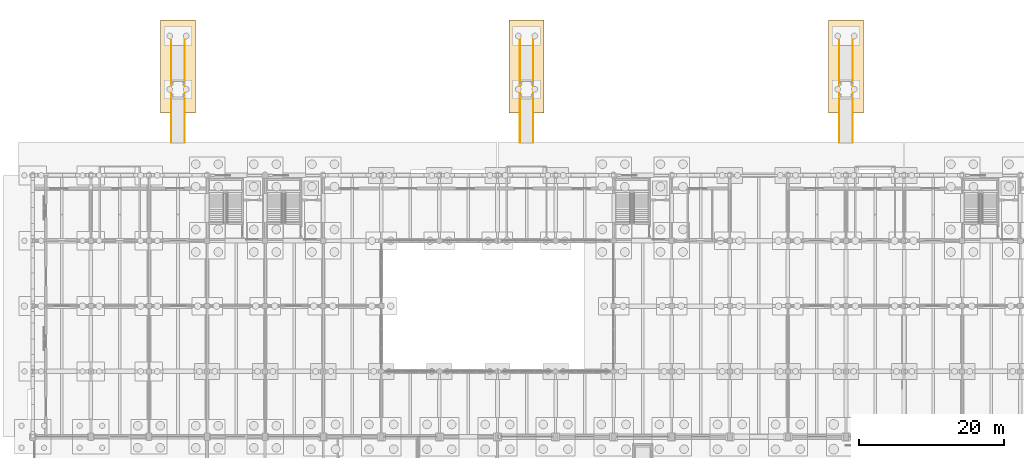
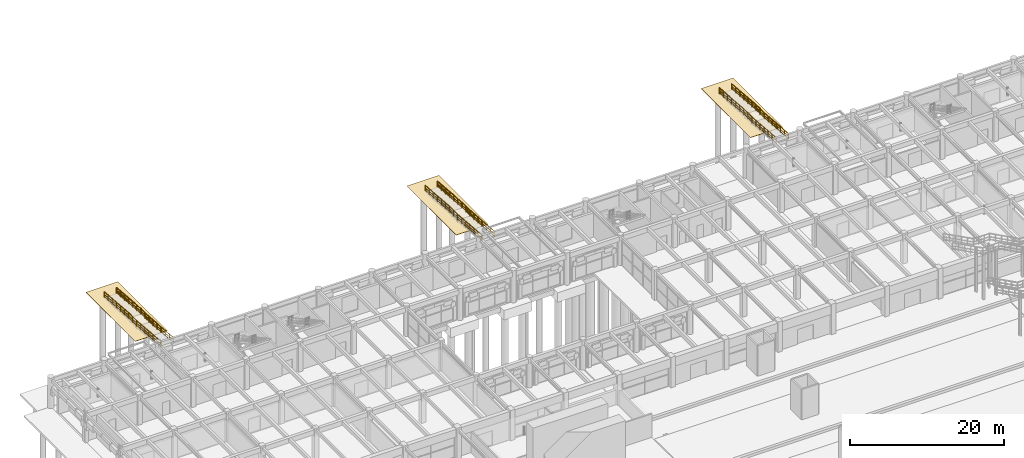
# One storey, part 146 of 147: 6 railings, 3 coverings.
"""IFC4 building model written with IfcOpenShell, lengths in metres."""

from ifc_helpers import new_model, si_unit, direction, frame, origin, origin_2d, place, context, subcontext, project, spatial, polyline, circle, outline, extrude, material, layer, layer_set, type_object, element, save


model = new_model("IFC4")

# Units and contexts
model_context = context("Model", 3, precision=1e-05, world=origin(), true_north=direction((0.0, 1.0)))
body_context = subcontext(model_context, "Body", "Model", "MODEL_VIEW")
ifc_project = project(units=[si_unit("LENGTHUNIT", "METRE"), si_unit("AREAUNIT", "SQUARE_METRE"), si_unit("VOLUMEUNIT", "CUBIC_METRE"), si_unit("PLANEANGLEUNIT", "RADIAN"), si_unit("MASSUNIT", "GRAM", prefix="KILO")], contexts=[model_context])

# Site, building, storey
site_placement = place(None, origin())
site = spatial("IfcSite", under=ifc_project, at=site_placement, CompositionType="ELEMENT")
building_placement = place(site_placement, origin())
building = spatial("IfcBuilding", under=site, at=building_placement, Name="Varnabhumi Central Station", CompositionType="ELEMENT")
storey_placement = place(building_placement, origin())
storey = spatial("IfcBuildingStorey", under=building, at=storey_placement, Name="L00", CompositionType="ELEMENT", Elevation=0.0)

# Coverings
ifc_material_1 = material(Name="Vitrified granite stone flooring", Category="masonry")
ifc_layer = layer(ifc_material_1, 0.030029296875, Name="Vitrified granite stone flooring", Category="masonry")
ifc_layer_set = layer_set([ifc_layer], Name="Vitrified granite stone flooring")
covering_type = type_object("IfcCoveringType", Name="COV-FLOR-GRANITE", PredefinedType="FLOORING", material=ifc_layer_set)
covering_1_placement = place(storey_placement, frame((0.0, 0.0, -1.0849609375)))
element("IfcCovering", 1, at=covering_1_placement, inside=storey, type_object=covering_type, Name="Street Forecourt Granite Plaza Apron RMP-NB-E", PredefinedType="FLOORING", context=body_context, shape_type="SweptSolid", body=[
    extrude(outline(polyline([(17.60009765625, 124.60009765625), (22.39990234375, 124.60009765625), (22.39990234375, 137.39990234375), (17.60009765625, 137.39990234375), (17.60009765625, 124.60009765625)])), origin(), (0.0, 0.0, 1.0), 0.034912109375),
])
covering_2_placement = place(storey_placement, frame((0.0, 0.0, -1.0849609375)))
element("IfcCovering", 2, at=covering_2_placement, inside=storey, type_object=covering_type, Name="Street Forecourt Granite Plaza Apron RMP-NB-M", PredefinedType="FLOORING", context=body_context, shape_type="SweptSolid", body=[
    extrude(outline(polyline([(65.60009765625, 124.60009765625), (70.39990234375, 124.60009765625), (70.39990234375, 137.39990234375), (65.60009765625, 137.39990234375), (65.60009765625, 124.60009765625)])), origin(), (0.0, 0.0, 1.0), 0.034912109375),
])
covering_3_placement = place(storey_placement, frame((0.0, 0.0, -1.0849609375)))
element("IfcCovering", 3, at=covering_3_placement, inside=storey, type_object=covering_type, Name="Street Forecourt Granite Plaza Apron RMP-NB-W", PredefinedType="FLOORING", context=body_context, shape_type="SweptSolid", body=[
    extrude(outline(polyline([(109.60009765625, 124.60009765625), (114.39990234375, 124.60009765625), (114.39990234375, 137.39990234375), (109.60009765625, 137.39990234375), (109.60009765625, 124.60009765625)])), origin(), (0.0, 0.0, 1.0), 0.034912109375),
])

# Railings
ifc_material_2 = material(Name="Stainless steel Grade 316", Category="steel")
railing_type = type_object("IfcRailingType", Name="RAIL-RAMP-920", PredefinedType="HANDRAIL", material=ifc_material_2)
railing_1_placement = place(storey_placement, frame((20.919921875, 135.199951171875, -1.050048828125)))
element("IfcRailing", 4, at=railing_1_placement, inside=storey, type_object=railing_type, Name="RMP-NB-E Handrail L", PredefinedType="HANDRAIL", context=body_context, shape_type="SweptSolid", body=[
    extrude(circle(Radius=0.02392578125, at=origin_2d()), frame((0.0, 0.0, 0.89599609375), z_axis=(0.0, -0.996543893665, 0.083067851783), x_axis=(1.0, 0.0, 0.0)), (0.0, 0.0, 1.0), 6.32177734375),
    extrude(circle(Radius=0.01416015625, at=origin_2d()), frame((0.0, 0.0, 0.478271484375), z_axis=(0.0, -0.996543893665, 0.083067851783), x_axis=(1.0, 0.0, 0.0)), (0.0, 0.0, 1.0), 6.32177734375),
    extrude(circle(Radius=0.01416015625, at=origin_2d()), frame((0.0, 0.0, 0.147216796875), z_axis=(0.0, -0.996543893665, 0.083067851783), x_axis=(1.0, 0.0, 0.0)), (0.0, 0.0, 1.0), 6.32177734375),
    extrude(circle(Radius=0.02392578125, at=origin_2d()), frame((0.0, -6.300048828125, 1.4208984375), z_axis=(0.0, -1.0, 0.0), x_axis=(1.0, 0.0, 0.0)), (0.0, 0.0, 1.0), 2.099853515625),
    extrude(circle(Radius=0.01416015625, at=origin_2d()), frame((0.0, -6.300048828125, 1.00341796875), z_axis=(0.0, -1.0, 0.0), x_axis=(1.0, 0.0, 0.0)), (0.0, 0.0, 1.0), 2.099853515625),
    extrude(circle(Radius=0.01416015625, at=origin_2d()), frame((0.0, -6.300048828125, 0.67236328125), z_axis=(0.0, -1.0, 0.0), x_axis=(1.0, 0.0, 0.0)), (0.0, 0.0, 1.0), 2.099853515625),
    extrude(circle(Radius=0.02392578125, at=origin_2d()), frame((0.0, -8.39990234375, 1.4208984375), z_axis=(0.0, -0.996547089785, 0.083029499827), x_axis=(1.0, 0.0, 0.0)), (0.0, 0.0, 1.0), 6.32177734375),
    extrude(circle(Radius=0.01416015625, at=origin_2d()), frame((0.0, -8.39990234375, 1.00341796875), z_axis=(0.0, -0.996547089785, 0.083029499827), x_axis=(1.0, 0.0, 0.0)), (0.0, 0.0, 1.0), 6.32177734375),
    extrude(circle(Radius=0.01416015625, at=origin_2d()), frame((0.0, -8.39990234375, 0.67236328125), z_axis=(0.0, -0.996547089785, 0.083029499827), x_axis=(1.0, 0.0, 0.0)), (0.0, 0.0, 1.0), 6.32177734375),
    extrude(circle(Radius=0.02099609375, at=origin_2d()), origin(), (0.0, 0.0, 1.0), 0.871826171875),
    extrude(circle(Radius=0.02099609375, at=origin_2d()), frame((0.0, -1.050048828125, 0.08740234375)), (0.0, 0.0, 1.0), 0.871826171875),
    extrude(circle(Radius=0.02099609375, at=origin_2d()), frame((0.0, -2.10009765625, 0.175048828125)), (0.0, 0.0, 1.0), 0.871826171875),
    extrude(circle(Radius=0.02099609375, at=origin_2d()), frame((0.0, -3.14990234375, 0.2626953125)), (0.0, 0.0, 1.0), 0.871826171875),
    extrude(circle(Radius=0.02099609375, at=origin_2d()), frame((0.0, -4.199951171875, 0.35009765625)), (0.0, 0.0, 1.0), 0.871826171875),
    extrude(circle(Radius=0.02099609375, at=origin_2d()), frame((0.0, -5.25, 0.4375)), (0.0, 0.0, 1.0), 0.871826171875),
    extrude(circle(Radius=0.02099609375, at=origin_2d()), frame((0.0, -6.300048828125, 0.525146484375)), (0.0, 0.0, 1.0), 0.871826171875),
    extrude(circle(Radius=0.02099609375, at=origin_2d()), frame((0.0, -7.35009765625, 0.525146484375)), (0.0, 0.0, 1.0), 0.871826171875),
    extrude(circle(Radius=0.02099609375, at=origin_2d()), frame((0.0, -8.39990234375, 0.525146484375)), (0.0, 0.0, 1.0), 0.871826171875),
    extrude(circle(Radius=0.02099609375, at=origin_2d()), frame((0.0, -9.449951171875, 0.612548828125)), (0.0, 0.0, 1.0), 0.871826171875),
    extrude(circle(Radius=0.02099609375, at=origin_2d()), frame((0.0, -10.5, 0.7001953125)), (0.0, 0.0, 1.0), 0.871826171875),
    extrude(circle(Radius=0.02099609375, at=origin_2d()), frame((0.0, -11.5498046875, 0.78759765625)), (0.0, 0.0, 1.0), 0.871826171875),
    extrude(circle(Radius=0.02099609375, at=origin_2d()), frame((0.0, -12.599853515625, 0.875)), (0.0, 0.0, 1.0), 0.871826171875),
    extrude(circle(Radius=0.02099609375, at=origin_2d()), frame((0.0, -13.64990234375, 0.962646484375)), (0.0, 0.0, 1.0), 0.871826171875),
    extrude(circle(Radius=0.02099609375, at=origin_2d()), frame((0.0, -14.699951171875, 1.050048828125)), (0.0, 0.0, 1.0), 0.871826171875),
])
railing_2_placement = place(storey_placement, frame((19.080078125, 135.199951171875, -1.050048828125)))
element("IfcRailing", 5, at=railing_2_placement, inside=storey, type_object=railing_type, Name="RMP-NB-E Handrail R", PredefinedType="HANDRAIL", context=body_context, shape_type="SweptSolid", body=[
    extrude(circle(Radius=0.02392578125, at=origin_2d()), frame((0.0, 0.0, 0.89599609375), z_axis=(0.0, -0.996543893665, 0.083067851783), x_axis=(1.0, 0.0, 0.0)), (0.0, 0.0, 1.0), 6.32177734375),
    extrude(circle(Radius=0.01416015625, at=origin_2d()), frame((0.0, 0.0, 0.478271484375), z_axis=(0.0, -0.996543893665, 0.083067851783), x_axis=(1.0, 0.0, 0.0)), (0.0, 0.0, 1.0), 6.32177734375),
    extrude(circle(Radius=0.01416015625, at=origin_2d()), frame((0.0, 0.0, 0.147216796875), z_axis=(0.0, -0.996543893665, 0.083067851783), x_axis=(1.0, 0.0, 0.0)), (0.0, 0.0, 1.0), 6.32177734375),
    extrude(circle(Radius=0.02392578125, at=origin_2d()), frame((0.0, -6.300048828125, 1.4208984375), z_axis=(0.0, -1.0, 0.0), x_axis=(1.0, 0.0, 0.0)), (0.0, 0.0, 1.0), 2.099853515625),
    extrude(circle(Radius=0.01416015625, at=origin_2d()), frame((0.0, -6.300048828125, 1.00341796875), z_axis=(0.0, -1.0, 0.0), x_axis=(1.0, 0.0, 0.0)), (0.0, 0.0, 1.0), 2.099853515625),
    extrude(circle(Radius=0.01416015625, at=origin_2d()), frame((0.0, -6.300048828125, 0.67236328125), z_axis=(0.0, -1.0, 0.0), x_axis=(1.0, 0.0, 0.0)), (0.0, 0.0, 1.0), 2.099853515625),
    extrude(circle(Radius=0.02392578125, at=origin_2d()), frame((0.0, -8.39990234375, 1.4208984375), z_axis=(0.0, -0.996547089785, 0.083029499827), x_axis=(1.0, 0.0, 0.0)), (0.0, 0.0, 1.0), 6.32177734375),
    extrude(circle(Radius=0.01416015625, at=origin_2d()), frame((0.0, -8.39990234375, 1.00341796875), z_axis=(0.0, -0.996547089785, 0.083029499827), x_axis=(1.0, 0.0, 0.0)), (0.0, 0.0, 1.0), 6.32177734375),
    extrude(circle(Radius=0.01416015625, at=origin_2d()), frame((0.0, -8.39990234375, 0.67236328125), z_axis=(0.0, -0.996547089785, 0.083029499827), x_axis=(1.0, 0.0, 0.0)), (0.0, 0.0, 1.0), 6.32177734375),
    extrude(circle(Radius=0.02099609375, at=origin_2d()), origin(), (0.0, 0.0, 1.0), 0.871826171875),
    extrude(circle(Radius=0.02099609375, at=origin_2d()), frame((0.0, -1.050048828125, 0.08740234375)), (0.0, 0.0, 1.0), 0.871826171875),
    extrude(circle(Radius=0.02099609375, at=origin_2d()), frame((0.0, -2.10009765625, 0.175048828125)), (0.0, 0.0, 1.0), 0.871826171875),
    extrude(circle(Radius=0.02099609375, at=origin_2d()), frame((0.0, -3.14990234375, 0.2626953125)), (0.0, 0.0, 1.0), 0.871826171875),
    extrude(circle(Radius=0.02099609375, at=origin_2d()), frame((0.0, -4.199951171875, 0.35009765625)), (0.0, 0.0, 1.0), 0.871826171875),
    extrude(circle(Radius=0.02099609375, at=origin_2d()), frame((0.0, -5.25, 0.4375)), (0.0, 0.0, 1.0), 0.871826171875),
    extrude(circle(Radius=0.02099609375, at=origin_2d()), frame((0.0, -6.300048828125, 0.525146484375)), (0.0, 0.0, 1.0), 0.871826171875),
    extrude(circle(Radius=0.02099609375, at=origin_2d()), frame((0.0, -7.35009765625, 0.525146484375)), (0.0, 0.0, 1.0), 0.871826171875),
    extrude(circle(Radius=0.02099609375, at=origin_2d()), frame((0.0, -8.39990234375, 0.525146484375)), (0.0, 0.0, 1.0), 0.871826171875),
    extrude(circle(Radius=0.02099609375, at=origin_2d()), frame((0.0, -9.449951171875, 0.612548828125)), (0.0, 0.0, 1.0), 0.871826171875),
    extrude(circle(Radius=0.02099609375, at=origin_2d()), frame((0.0, -10.5, 0.7001953125)), (0.0, 0.0, 1.0), 0.871826171875),
    extrude(circle(Radius=0.02099609375, at=origin_2d()), frame((0.0, -11.5498046875, 0.78759765625)), (0.0, 0.0, 1.0), 0.871826171875),
    extrude(circle(Radius=0.02099609375, at=origin_2d()), frame((0.0, -12.599853515625, 0.875)), (0.0, 0.0, 1.0), 0.871826171875),
    extrude(circle(Radius=0.02099609375, at=origin_2d()), frame((0.0, -13.64990234375, 0.962646484375)), (0.0, 0.0, 1.0), 0.871826171875),
    extrude(circle(Radius=0.02099609375, at=origin_2d()), frame((0.0, -14.699951171875, 1.050048828125)), (0.0, 0.0, 1.0), 0.871826171875),
])
railing_3_placement = place(storey_placement, frame((68.919921875, 135.199951171875, -1.050048828125)))
element("IfcRailing", 6, at=railing_3_placement, inside=storey, type_object=railing_type, Name="RMP-NB-M Handrail L", PredefinedType="HANDRAIL", context=body_context, shape_type="SweptSolid", body=[
    extrude(circle(Radius=0.02392578125, at=origin_2d()), frame((0.0, 0.0, 0.89599609375), z_axis=(0.0, -0.996543893665, 0.083067851783), x_axis=(1.0, 0.0, 0.0)), (0.0, 0.0, 1.0), 6.32177734375),
    extrude(circle(Radius=0.01416015625, at=origin_2d()), frame((0.0, 0.0, 0.478271484375), z_axis=(0.0, -0.996543893665, 0.083067851783), x_axis=(1.0, 0.0, 0.0)), (0.0, 0.0, 1.0), 6.32177734375),
    extrude(circle(Radius=0.01416015625, at=origin_2d()), frame((0.0, 0.0, 0.147216796875), z_axis=(0.0, -0.996543893665, 0.083067851783), x_axis=(1.0, 0.0, 0.0)), (0.0, 0.0, 1.0), 6.32177734375),
    extrude(circle(Radius=0.02392578125, at=origin_2d()), frame((0.0, -6.300048828125, 1.4208984375), z_axis=(0.0, -1.0, 0.0), x_axis=(1.0, 0.0, 0.0)), (0.0, 0.0, 1.0), 2.099853515625),
    extrude(circle(Radius=0.01416015625, at=origin_2d()), frame((0.0, -6.300048828125, 1.00341796875), z_axis=(0.0, -1.0, 0.0), x_axis=(1.0, 0.0, 0.0)), (0.0, 0.0, 1.0), 2.099853515625),
    extrude(circle(Radius=0.01416015625, at=origin_2d()), frame((0.0, -6.300048828125, 0.67236328125), z_axis=(0.0, -1.0, 0.0), x_axis=(1.0, 0.0, 0.0)), (0.0, 0.0, 1.0), 2.099853515625),
    extrude(circle(Radius=0.02392578125, at=origin_2d()), frame((0.0, -8.39990234375, 1.4208984375), z_axis=(0.0, -0.996547089785, 0.083029499827), x_axis=(1.0, 0.0, 0.0)), (0.0, 0.0, 1.0), 6.32177734375),
    extrude(circle(Radius=0.01416015625, at=origin_2d()), frame((0.0, -8.39990234375, 1.00341796875), z_axis=(0.0, -0.996547089785, 0.083029499827), x_axis=(1.0, 0.0, 0.0)), (0.0, 0.0, 1.0), 6.32177734375),
    extrude(circle(Radius=0.01416015625, at=origin_2d()), frame((0.0, -8.39990234375, 0.67236328125), z_axis=(0.0, -0.996547089785, 0.083029499827), x_axis=(1.0, 0.0, 0.0)), (0.0, 0.0, 1.0), 6.32177734375),
    extrude(circle(Radius=0.02099609375, at=origin_2d()), origin(), (0.0, 0.0, 1.0), 0.871826171875),
    extrude(circle(Radius=0.02099609375, at=origin_2d()), frame((0.0, -1.050048828125, 0.08740234375)), (0.0, 0.0, 1.0), 0.871826171875),
    extrude(circle(Radius=0.02099609375, at=origin_2d()), frame((0.0, -2.10009765625, 0.175048828125)), (0.0, 0.0, 1.0), 0.871826171875),
    extrude(circle(Radius=0.02099609375, at=origin_2d()), frame((0.0, -3.14990234375, 0.2626953125)), (0.0, 0.0, 1.0), 0.871826171875),
    extrude(circle(Radius=0.02099609375, at=origin_2d()), frame((0.0, -4.199951171875, 0.35009765625)), (0.0, 0.0, 1.0), 0.871826171875),
    extrude(circle(Radius=0.02099609375, at=origin_2d()), frame((0.0, -5.25, 0.4375)), (0.0, 0.0, 1.0), 0.871826171875),
    extrude(circle(Radius=0.02099609375, at=origin_2d()), frame((0.0, -6.300048828125, 0.525146484375)), (0.0, 0.0, 1.0), 0.871826171875),
    extrude(circle(Radius=0.02099609375, at=origin_2d()), frame((0.0, -7.35009765625, 0.525146484375)), (0.0, 0.0, 1.0), 0.871826171875),
    extrude(circle(Radius=0.02099609375, at=origin_2d()), frame((0.0, -8.39990234375, 0.525146484375)), (0.0, 0.0, 1.0), 0.871826171875),
    extrude(circle(Radius=0.02099609375, at=origin_2d()), frame((0.0, -9.449951171875, 0.612548828125)), (0.0, 0.0, 1.0), 0.871826171875),
    extrude(circle(Radius=0.02099609375, at=origin_2d()), frame((0.0, -10.5, 0.7001953125)), (0.0, 0.0, 1.0), 0.871826171875),
    extrude(circle(Radius=0.02099609375, at=origin_2d()), frame((0.0, -11.5498046875, 0.78759765625)), (0.0, 0.0, 1.0), 0.871826171875),
    extrude(circle(Radius=0.02099609375, at=origin_2d()), frame((0.0, -12.599853515625, 0.875)), (0.0, 0.0, 1.0), 0.871826171875),
    extrude(circle(Radius=0.02099609375, at=origin_2d()), frame((0.0, -13.64990234375, 0.962646484375)), (0.0, 0.0, 1.0), 0.871826171875),
    extrude(circle(Radius=0.02099609375, at=origin_2d()), frame((0.0, -14.699951171875, 1.050048828125)), (0.0, 0.0, 1.0), 0.871826171875),
])
railing_4_placement = place(storey_placement, frame((67.080078125, 135.199951171875, -1.050048828125)))
element("IfcRailing", 7, at=railing_4_placement, inside=storey, type_object=railing_type, Name="RMP-NB-M Handrail R", PredefinedType="HANDRAIL", context=body_context, shape_type="SweptSolid", body=[
    extrude(circle(Radius=0.02392578125, at=origin_2d()), frame((0.0, 0.0, 0.89599609375), z_axis=(0.0, -0.996543893665, 0.083067851783), x_axis=(1.0, 0.0, 0.0)), (0.0, 0.0, 1.0), 6.32177734375),
    extrude(circle(Radius=0.01416015625, at=origin_2d()), frame((0.0, 0.0, 0.478271484375), z_axis=(0.0, -0.996543893665, 0.083067851783), x_axis=(1.0, 0.0, 0.0)), (0.0, 0.0, 1.0), 6.32177734375),
    extrude(circle(Radius=0.01416015625, at=origin_2d()), frame((0.0, 0.0, 0.147216796875), z_axis=(0.0, -0.996543893665, 0.083067851783), x_axis=(1.0, 0.0, 0.0)), (0.0, 0.0, 1.0), 6.32177734375),
    extrude(circle(Radius=0.02392578125, at=origin_2d()), frame((0.0, -6.300048828125, 1.4208984375), z_axis=(0.0, -1.0, 0.0), x_axis=(1.0, 0.0, 0.0)), (0.0, 0.0, 1.0), 2.099853515625),
    extrude(circle(Radius=0.01416015625, at=origin_2d()), frame((0.0, -6.300048828125, 1.00341796875), z_axis=(0.0, -1.0, 0.0), x_axis=(1.0, 0.0, 0.0)), (0.0, 0.0, 1.0), 2.099853515625),
    extrude(circle(Radius=0.01416015625, at=origin_2d()), frame((0.0, -6.300048828125, 0.67236328125), z_axis=(0.0, -1.0, 0.0), x_axis=(1.0, 0.0, 0.0)), (0.0, 0.0, 1.0), 2.099853515625),
    extrude(circle(Radius=0.02392578125, at=origin_2d()), frame((0.0, -8.39990234375, 1.4208984375), z_axis=(0.0, -0.996547089785, 0.083029499827), x_axis=(1.0, 0.0, 0.0)), (0.0, 0.0, 1.0), 6.32177734375),
    extrude(circle(Radius=0.01416015625, at=origin_2d()), frame((0.0, -8.39990234375, 1.00341796875), z_axis=(0.0, -0.996547089785, 0.083029499827), x_axis=(1.0, 0.0, 0.0)), (0.0, 0.0, 1.0), 6.32177734375),
    extrude(circle(Radius=0.01416015625, at=origin_2d()), frame((0.0, -8.39990234375, 0.67236328125), z_axis=(0.0, -0.996547089785, 0.083029499827), x_axis=(1.0, 0.0, 0.0)), (0.0, 0.0, 1.0), 6.32177734375),
    extrude(circle(Radius=0.02099609375, at=origin_2d()), origin(), (0.0, 0.0, 1.0), 0.871826171875),
    extrude(circle(Radius=0.02099609375, at=origin_2d()), frame((0.0, -1.050048828125, 0.08740234375)), (0.0, 0.0, 1.0), 0.871826171875),
    extrude(circle(Radius=0.02099609375, at=origin_2d()), frame((0.0, -2.10009765625, 0.175048828125)), (0.0, 0.0, 1.0), 0.871826171875),
    extrude(circle(Radius=0.02099609375, at=origin_2d()), frame((0.0, -3.14990234375, 0.2626953125)), (0.0, 0.0, 1.0), 0.871826171875),
    extrude(circle(Radius=0.02099609375, at=origin_2d()), frame((0.0, -4.199951171875, 0.35009765625)), (0.0, 0.0, 1.0), 0.871826171875),
    extrude(circle(Radius=0.02099609375, at=origin_2d()), frame((0.0, -5.25, 0.4375)), (0.0, 0.0, 1.0), 0.871826171875),
    extrude(circle(Radius=0.02099609375, at=origin_2d()), frame((0.0, -6.300048828125, 0.525146484375)), (0.0, 0.0, 1.0), 0.871826171875),
    extrude(circle(Radius=0.02099609375, at=origin_2d()), frame((0.0, -7.35009765625, 0.525146484375)), (0.0, 0.0, 1.0), 0.871826171875),
    extrude(circle(Radius=0.02099609375, at=origin_2d()), frame((0.0, -8.39990234375, 0.525146484375)), (0.0, 0.0, 1.0), 0.871826171875),
    extrude(circle(Radius=0.02099609375, at=origin_2d()), frame((0.0, -9.449951171875, 0.612548828125)), (0.0, 0.0, 1.0), 0.871826171875),
    extrude(circle(Radius=0.02099609375, at=origin_2d()), frame((0.0, -10.5, 0.7001953125)), (0.0, 0.0, 1.0), 0.871826171875),
    extrude(circle(Radius=0.02099609375, at=origin_2d()), frame((0.0, -11.5498046875, 0.78759765625)), (0.0, 0.0, 1.0), 0.871826171875),
    extrude(circle(Radius=0.02099609375, at=origin_2d()), frame((0.0, -12.599853515625, 0.875)), (0.0, 0.0, 1.0), 0.871826171875),
    extrude(circle(Radius=0.02099609375, at=origin_2d()), frame((0.0, -13.64990234375, 0.962646484375)), (0.0, 0.0, 1.0), 0.871826171875),
    extrude(circle(Radius=0.02099609375, at=origin_2d()), frame((0.0, -14.699951171875, 1.050048828125)), (0.0, 0.0, 1.0), 0.871826171875),
])
railing_5_placement = place(storey_placement, frame((112.919921875, 135.199951171875, -1.050048828125)))
element("IfcRailing", 8, at=railing_5_placement, inside=storey, type_object=railing_type, Name="RMP-NB-W Handrail L", PredefinedType="HANDRAIL", context=body_context, shape_type="SweptSolid", body=[
    extrude(circle(Radius=0.02392578125, at=origin_2d()), frame((0.0, 0.0, 0.89599609375), z_axis=(0.0, -0.996543893665, 0.083067851783), x_axis=(1.0, 0.0, 0.0)), (0.0, 0.0, 1.0), 6.32177734375),
    extrude(circle(Radius=0.01416015625, at=origin_2d()), frame((0.0, 0.0, 0.478271484375), z_axis=(0.0, -0.996543893665, 0.083067851783), x_axis=(1.0, 0.0, 0.0)), (0.0, 0.0, 1.0), 6.32177734375),
    extrude(circle(Radius=0.01416015625, at=origin_2d()), frame((0.0, 0.0, 0.147216796875), z_axis=(0.0, -0.996543893665, 0.083067851783), x_axis=(1.0, 0.0, 0.0)), (0.0, 0.0, 1.0), 6.32177734375),
    extrude(circle(Radius=0.02392578125, at=origin_2d()), frame((0.0, -6.300048828125, 1.4208984375), z_axis=(0.0, -1.0, 0.0), x_axis=(1.0, 0.0, 0.0)), (0.0, 0.0, 1.0), 2.099853515625),
    extrude(circle(Radius=0.01416015625, at=origin_2d()), frame((0.0, -6.300048828125, 1.00341796875), z_axis=(0.0, -1.0, 0.0), x_axis=(1.0, 0.0, 0.0)), (0.0, 0.0, 1.0), 2.099853515625),
    extrude(circle(Radius=0.01416015625, at=origin_2d()), frame((0.0, -6.300048828125, 0.67236328125), z_axis=(0.0, -1.0, 0.0), x_axis=(1.0, 0.0, 0.0)), (0.0, 0.0, 1.0), 2.099853515625),
    extrude(circle(Radius=0.02392578125, at=origin_2d()), frame((0.0, -8.39990234375, 1.4208984375), z_axis=(0.0, -0.996547089785, 0.083029499827), x_axis=(1.0, 0.0, 0.0)), (0.0, 0.0, 1.0), 6.32177734375),
    extrude(circle(Radius=0.01416015625, at=origin_2d()), frame((0.0, -8.39990234375, 1.00341796875), z_axis=(0.0, -0.996547089785, 0.083029499827), x_axis=(1.0, 0.0, 0.0)), (0.0, 0.0, 1.0), 6.32177734375),
    extrude(circle(Radius=0.01416015625, at=origin_2d()), frame((0.0, -8.39990234375, 0.67236328125), z_axis=(0.0, -0.996547089785, 0.083029499827), x_axis=(1.0, 0.0, 0.0)), (0.0, 0.0, 1.0), 6.32177734375),
    extrude(circle(Radius=0.02099609375, at=origin_2d()), origin(), (0.0, 0.0, 1.0), 0.871826171875),
    extrude(circle(Radius=0.02099609375, at=origin_2d()), frame((0.0, -1.050048828125, 0.08740234375)), (0.0, 0.0, 1.0), 0.871826171875),
    extrude(circle(Radius=0.02099609375, at=origin_2d()), frame((0.0, -2.10009765625, 0.175048828125)), (0.0, 0.0, 1.0), 0.871826171875),
    extrude(circle(Radius=0.02099609375, at=origin_2d()), frame((0.0, -3.14990234375, 0.2626953125)), (0.0, 0.0, 1.0), 0.871826171875),
    extrude(circle(Radius=0.02099609375, at=origin_2d()), frame((0.0, -4.199951171875, 0.35009765625)), (0.0, 0.0, 1.0), 0.871826171875),
    extrude(circle(Radius=0.02099609375, at=origin_2d()), frame((0.0, -5.25, 0.4375)), (0.0, 0.0, 1.0), 0.871826171875),
    extrude(circle(Radius=0.02099609375, at=origin_2d()), frame((0.0, -6.300048828125, 0.525146484375)), (0.0, 0.0, 1.0), 0.871826171875),
    extrude(circle(Radius=0.02099609375, at=origin_2d()), frame((0.0, -7.35009765625, 0.525146484375)), (0.0, 0.0, 1.0), 0.871826171875),
    extrude(circle(Radius=0.02099609375, at=origin_2d()), frame((0.0, -8.39990234375, 0.525146484375)), (0.0, 0.0, 1.0), 0.871826171875),
    extrude(circle(Radius=0.02099609375, at=origin_2d()), frame((0.0, -9.449951171875, 0.612548828125)), (0.0, 0.0, 1.0), 0.871826171875),
    extrude(circle(Radius=0.02099609375, at=origin_2d()), frame((0.0, -10.5, 0.7001953125)), (0.0, 0.0, 1.0), 0.871826171875),
    extrude(circle(Radius=0.02099609375, at=origin_2d()), frame((0.0, -11.5498046875, 0.78759765625)), (0.0, 0.0, 1.0), 0.871826171875),
    extrude(circle(Radius=0.02099609375, at=origin_2d()), frame((0.0, -12.599853515625, 0.875)), (0.0, 0.0, 1.0), 0.871826171875),
    extrude(circle(Radius=0.02099609375, at=origin_2d()), frame((0.0, -13.64990234375, 0.962646484375)), (0.0, 0.0, 1.0), 0.871826171875),
    extrude(circle(Radius=0.02099609375, at=origin_2d()), frame((0.0, -14.699951171875, 1.050048828125)), (0.0, 0.0, 1.0), 0.871826171875),
])
railing_6_placement = place(storey_placement, frame((111.080078125, 135.199951171875, -1.050048828125)))
element("IfcRailing", 9, at=railing_6_placement, inside=storey, type_object=railing_type, Name="RMP-NB-W Handrail R", PredefinedType="HANDRAIL", context=body_context, shape_type="SweptSolid", body=[
    extrude(circle(Radius=0.02392578125, at=origin_2d()), frame((0.0, 0.0, 0.89599609375), z_axis=(0.0, -0.996543893665, 0.083067851783), x_axis=(1.0, 0.0, 0.0)), (0.0, 0.0, 1.0), 6.32177734375),
    extrude(circle(Radius=0.01416015625, at=origin_2d()), frame((0.0, 0.0, 0.478271484375), z_axis=(0.0, -0.996543893665, 0.083067851783), x_axis=(1.0, 0.0, 0.0)), (0.0, 0.0, 1.0), 6.32177734375),
    extrude(circle(Radius=0.01416015625, at=origin_2d()), frame((0.0, 0.0, 0.147216796875), z_axis=(0.0, -0.996543893665, 0.083067851783), x_axis=(1.0, 0.0, 0.0)), (0.0, 0.0, 1.0), 6.32177734375),
    extrude(circle(Radius=0.02392578125, at=origin_2d()), frame((0.0, -6.300048828125, 1.4208984375), z_axis=(0.0, -1.0, 0.0), x_axis=(1.0, 0.0, 0.0)), (0.0, 0.0, 1.0), 2.099853515625),
    extrude(circle(Radius=0.01416015625, at=origin_2d()), frame((0.0, -6.300048828125, 1.00341796875), z_axis=(0.0, -1.0, 0.0), x_axis=(1.0, 0.0, 0.0)), (0.0, 0.0, 1.0), 2.099853515625),
    extrude(circle(Radius=0.01416015625, at=origin_2d()), frame((0.0, -6.300048828125, 0.67236328125), z_axis=(0.0, -1.0, 0.0), x_axis=(1.0, 0.0, 0.0)), (0.0, 0.0, 1.0), 2.099853515625),
    extrude(circle(Radius=0.02392578125, at=origin_2d()), frame((0.0, -8.39990234375, 1.4208984375), z_axis=(0.0, -0.996547089785, 0.083029499827), x_axis=(1.0, 0.0, 0.0)), (0.0, 0.0, 1.0), 6.32177734375),
    extrude(circle(Radius=0.01416015625, at=origin_2d()), frame((0.0, -8.39990234375, 1.00341796875), z_axis=(0.0, -0.996547089785, 0.083029499827), x_axis=(1.0, 0.0, 0.0)), (0.0, 0.0, 1.0), 6.32177734375),
    extrude(circle(Radius=0.01416015625, at=origin_2d()), frame((0.0, -8.39990234375, 0.67236328125), z_axis=(0.0, -0.996547089785, 0.083029499827), x_axis=(1.0, 0.0, 0.0)), (0.0, 0.0, 1.0), 6.32177734375),
    extrude(circle(Radius=0.02099609375, at=origin_2d()), origin(), (0.0, 0.0, 1.0), 0.871826171875),
    extrude(circle(Radius=0.02099609375, at=origin_2d()), frame((0.0, -1.050048828125, 0.08740234375)), (0.0, 0.0, 1.0), 0.871826171875),
    extrude(circle(Radius=0.02099609375, at=origin_2d()), frame((0.0, -2.10009765625, 0.175048828125)), (0.0, 0.0, 1.0), 0.871826171875),
    extrude(circle(Radius=0.02099609375, at=origin_2d()), frame((0.0, -3.14990234375, 0.2626953125)), (0.0, 0.0, 1.0), 0.871826171875),
    extrude(circle(Radius=0.02099609375, at=origin_2d()), frame((0.0, -4.199951171875, 0.35009765625)), (0.0, 0.0, 1.0), 0.871826171875),
    extrude(circle(Radius=0.02099609375, at=origin_2d()), frame((0.0, -5.25, 0.4375)), (0.0, 0.0, 1.0), 0.871826171875),
    extrude(circle(Radius=0.02099609375, at=origin_2d()), frame((0.0, -6.300048828125, 0.525146484375)), (0.0, 0.0, 1.0), 0.871826171875),
    extrude(circle(Radius=0.02099609375, at=origin_2d()), frame((0.0, -7.35009765625, 0.525146484375)), (0.0, 0.0, 1.0), 0.871826171875),
    extrude(circle(Radius=0.02099609375, at=origin_2d()), frame((0.0, -8.39990234375, 0.525146484375)), (0.0, 0.0, 1.0), 0.871826171875),
    extrude(circle(Radius=0.02099609375, at=origin_2d()), frame((0.0, -9.449951171875, 0.612548828125)), (0.0, 0.0, 1.0), 0.871826171875),
    extrude(circle(Radius=0.02099609375, at=origin_2d()), frame((0.0, -10.5, 0.7001953125)), (0.0, 0.0, 1.0), 0.871826171875),
    extrude(circle(Radius=0.02099609375, at=origin_2d()), frame((0.0, -11.5498046875, 0.78759765625)), (0.0, 0.0, 1.0), 0.871826171875),
    extrude(circle(Radius=0.02099609375, at=origin_2d()), frame((0.0, -12.599853515625, 0.875)), (0.0, 0.0, 1.0), 0.871826171875),
    extrude(circle(Radius=0.02099609375, at=origin_2d()), frame((0.0, -13.64990234375, 0.962646484375)), (0.0, 0.0, 1.0), 0.871826171875),
    extrude(circle(Radius=0.02099609375, at=origin_2d()), frame((0.0, -14.699951171875, 1.050048828125)), (0.0, 0.0, 1.0), 0.871826171875),
])

save(model, "model.ifc")
